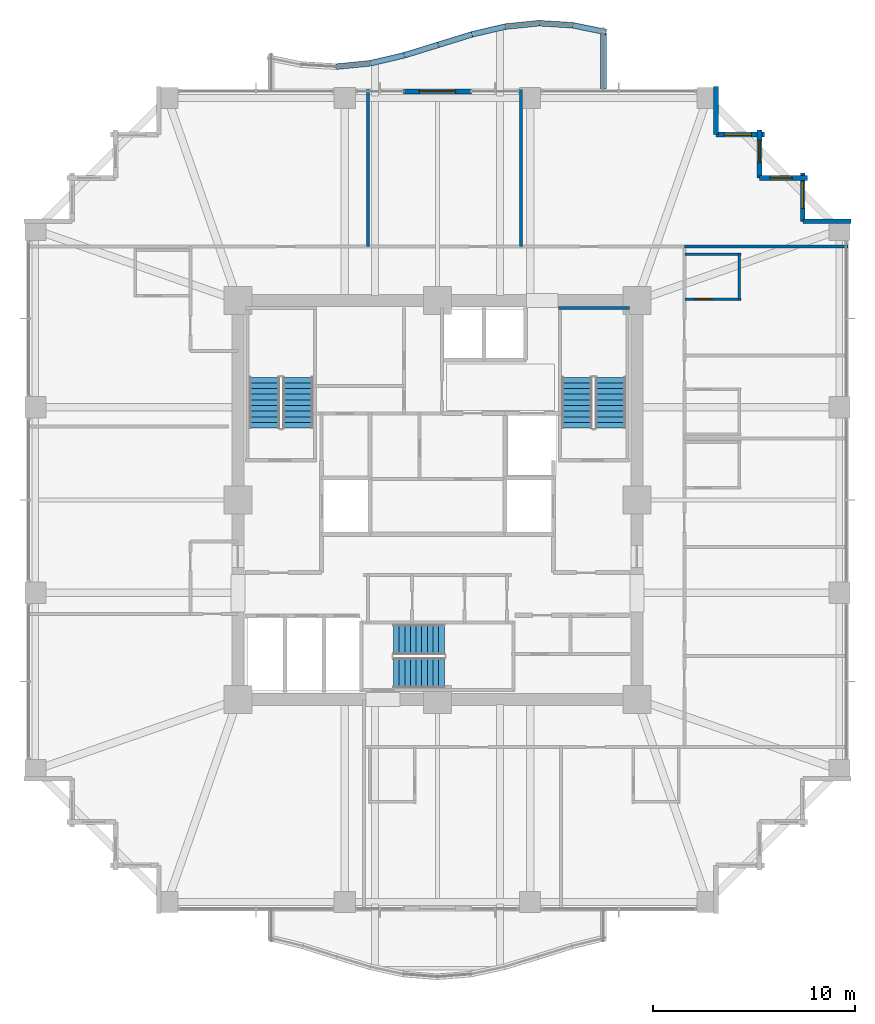
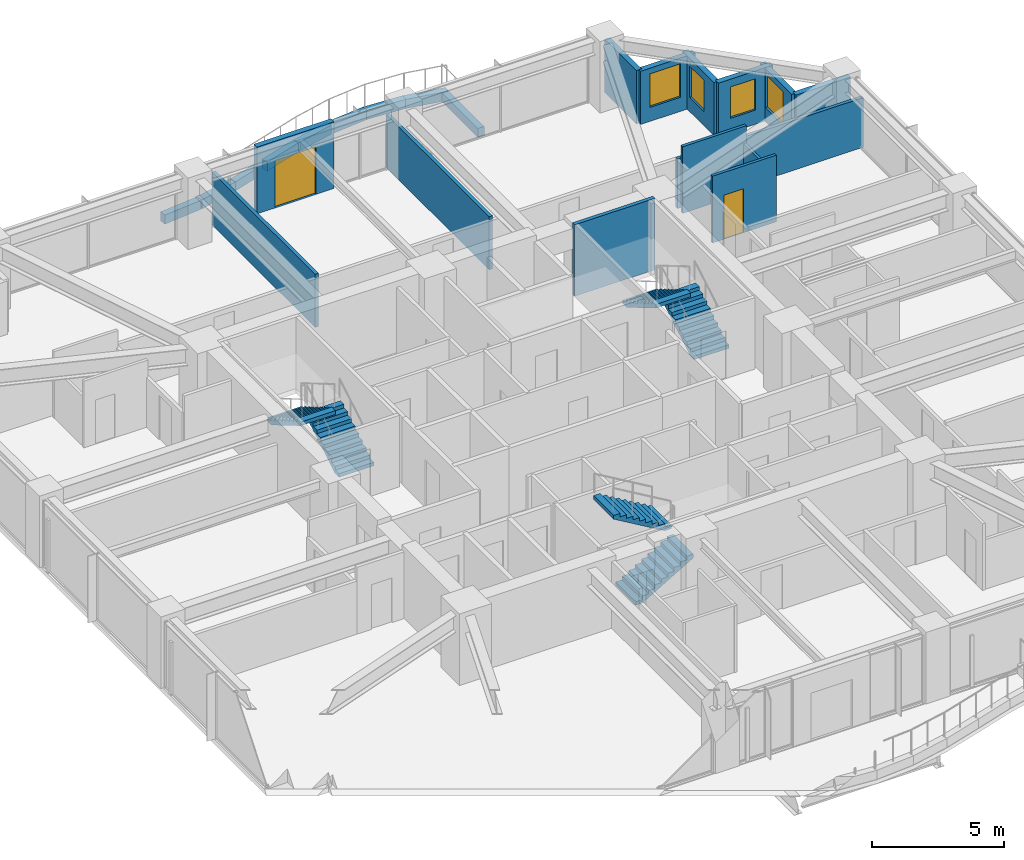
# One storey, part 36 of 38: 23 walls, 6 stair flights, 4 windows, 2 doors, 6 openings, 3 elements without a shape of their own.
"""IFC4 building model written with IfcOpenShell, lengths in metres."""

from ifc_helpers import new_model, si_unit, direction, frame, frame_2d, origin, place, context, subcontext, project, spatial, polyline, rectangle, outline, extrude, material, layer, layer_set, type_object, element, fill, aggregate, save


model = new_model("IFC4")

# Units and contexts
model_context = context("Model", 3, precision=1e-05, world=origin(), true_north=direction((0.0, 1.0)))
body_context = subcontext(model_context, "Body", "Model", "MODEL_VIEW")
ifc_project = project(units=[si_unit("LENGTHUNIT", "METRE"), si_unit("AREAUNIT", "SQUARE_METRE"), si_unit("VOLUMEUNIT", "CUBIC_METRE"), si_unit("PLANEANGLEUNIT", "RADIAN"), si_unit("MASSUNIT", "GRAM", prefix="KILO")], contexts=[model_context])

# Site, building, storey
site_placement = place(None, origin())
site = spatial("IfcSite", under=ifc_project, at=site_placement, CompositionType="ELEMENT")
building_placement = place(site_placement, origin())
building = spatial("IfcBuilding", under=site, at=building_placement, Name="Kolvaren Belvedere", CompositionType="ELEMENT")
storey_placement = place(building_placement, frame((0.0, 0.0, 98.60009765625)))
storey = spatial("IfcBuildingStorey", under=building, at=storey_placement, Name="L28", CompositionType="ELEMENT", Elevation=98.60009765625)

# Walls
ifc_material_1 = material(Name="Concrete C50/60", Category="concrete")
ifc_layer_1 = layer(ifc_material_1, 0.159912109375)
ifc_layer_set_1 = layer_set([ifc_layer_1], Name="Concrete C50/60")
wall_type_1 = type_object("IfcWallType", Name="CW-STAIR-160", PredefinedType="SHEAR", material=ifc_layer_set_1)
wall_1_placement = place(storey_placement, frame((6.0, 9.530029296875, 0.0), z_axis=(0.0, 0.0, 1.0), x_axis=(1.0, 0.0, 0.0)))
element("IfcWall", 1, at=wall_1_placement, inside=storey, type_object=wall_type_1, Name="L28 Stair ST-2 North Shear Wall", PredefinedType="SHEAR", context=body_context, shape_type="SweptSolid", body=[
    extrude(rectangle(XDim=3.52001953125, YDim=0.159912109375, at=frame_2d((1.760009765625, 0.0))), origin(), (0.0, 0.0, 1.0), 3.2998046875),
])
ifc_material_2 = material(Name="Insulated pale-metal facade wall assembly", Category="aluminium")
ifc_layer_2 = layer(ifc_material_2, 0.239990234375)
ifc_layer_set_2 = layer_set([ifc_layer_2], Name="Insulated pale-metal facade wall assembly")
wall_type_2 = type_object("IfcWallType", Name="WL-EXT-240", PredefinedType="STANDARD", material=ifc_layer_set_2)
wall_2_placement = place(storey_placement, frame((18.1298828125, 13.830078125, 0.0), z_axis=(0.0, 0.0, 1.0), x_axis=(1.0, 0.0, 0.0)))
element("IfcWall", 2, at=wall_2_placement, inside=storey, type_object=wall_type_2, Name="L28 Serrated Corner Facade Wall 9", PredefinedType="STANDARD", context=body_context, shape_type="SweptSolid", body=[
    extrude(rectangle(XDim=2.39013671875, YDim=0.239990234375, at=frame_2d((1.195068359375, 0.0))), origin(), (0.0, 0.0, 1.0), 2.458984375),
])

# Wall, opening, window
wall_3_placement = place(storey_placement, frame((18.1298828125, 16.219970703125, 0.0), z_axis=(0.0, 0.0, 1.0), x_axis=(0.0, -1.0, 0.0)))
wall_3 = element("IfcWall", 3, at=wall_3_placement, inside=storey, type_object=wall_type_2, Name="L28 Serrated Corner Facade Wall 10", PredefinedType="STANDARD", context=body_context, shape_type="SweptSolid", body=[
    extrude(rectangle(XDim=2.389892578125, YDim=0.239990234375, at=frame_2d((1.19482421875, 0.0))), origin(), (0.0, 0.0, 1.0), 2.458984375),
])
opening_1_placement = place(wall_3_placement, frame((0.39990234375, 0.0, 0.64990234375)))
opening_1 = element("IfcOpeningElement", 4, at=opening_1_placement, cuts=wall_3, Name="Opening W-1350", PredefinedType="OPENING", context=body_context, shape_type="SweptSolid", body=[
    extrude(rectangle(XDim=1.35009765625, YDim=1.550048828125, at=frame_2d((0.675048828125, 0.77490234375))), frame((0.0, 0.1298828125, 0.0), z_axis=(0.0, -1.0, 0.0), x_axis=(1.0, 0.0, 0.0)), (0.0, 0.0, 1.0), 0.260009765625),
])
ifc_material_3 = material(Name="Low-iron triple insulated glass", Category="glass")
window_type_1 = type_object("IfcWindowType", Name="WN-CORN-1350", PartitioningType="SINGLE_PANEL", PredefinedType="WINDOW", material=ifc_material_3)
window_1_placement = place(opening_1_placement, origin())
window_1 = element("IfcWindow", 5, at=window_1_placement, inside=storey, type_object=window_type_1, Name="L28 Serrated Corner Vision Window 10", OverallHeight=1.550048828125, OverallWidth=1.35009765625, PartitioningType="SINGLE_PANEL", PredefinedType="WINDOW", context=body_context, shape_type="SweptSolid", body=[
    extrude(rectangle(XDim=1.35009765625, YDim=1.550048828125, at=frame_2d((0.675048828125, 0.77490234375))), frame((0.0, 0.030029296875, 0.0), z_axis=(0.0, -1.0, 0.0), x_axis=(1.0, 0.0, 0.0)), (0.0, 0.0, 1.0), 0.06005859375),
])
fill(opening_1, window_1)

wall_4_placement = place(storey_placement, frame((15.97998046875, 15.97998046875, 0.0), z_axis=(0.0, 0.0, 1.0), x_axis=(1.0, 0.0, 0.0)))
wall_4 = element("IfcWall", 6, at=wall_4_placement, inside=storey, type_object=wall_type_2, Name="L28 Serrated Corner Facade Wall 11", PredefinedType="STANDARD", context=body_context, shape_type="SweptSolid", body=[
    extrude(rectangle(XDim=2.39013671875, YDim=0.239990234375, at=frame_2d((1.195068359375, 0.0))), origin(), (0.0, 0.0, 1.0), 2.458984375),
])
opening_2_placement = place(wall_4_placement, frame((0.52490234375, 0.0, 0.64990234375)))
opening_2 = element("IfcOpeningElement", 7, at=opening_2_placement, cuts=wall_4, Name="Opening W-1100", PredefinedType="OPENING", context=body_context, shape_type="SweptSolid", body=[
    extrude(rectangle(XDim=1.10009765625, YDim=1.449951171875, at=frame_2d((0.550048828125, 0.72509765625))), frame((0.0, 0.1298828125, 0.0), z_axis=(0.0, -1.0, 0.0), x_axis=(1.0, 0.0, 0.0)), (0.0, 0.0, 1.0), 0.260009765625),
])
ifc_material_4 = material(Name="Low-iron triple insulated glass", Category="glass")
window_type_2 = type_object("IfcWindowType", Name="WN-CORN-1100", PartitioningType="SINGLE_PANEL", PredefinedType="WINDOW", material=ifc_material_4)
window_2_placement = place(opening_2_placement, origin())
window_2 = element("IfcWindow", 8, at=window_2_placement, inside=storey, type_object=window_type_2, Name="L28 Serrated Corner Vision Window 11", OverallHeight=1.449951171875, OverallWidth=1.10009765625, PartitioningType="SINGLE_PANEL", PredefinedType="WINDOW", context=body_context, shape_type="SweptSolid", body=[
    extrude(rectangle(XDim=1.10009765625, YDim=1.449951171875, at=frame_2d((0.550048828125, 0.72509765625))), frame((0.0, 0.030029296875, 0.0), z_axis=(0.0, -1.0, 0.0), x_axis=(1.0, 0.0, 0.0)), (0.0, 0.0, 1.0), 0.06005859375),
])
fill(opening_2, window_2)

wall_5_placement = place(storey_placement, frame((15.97998046875, 18.3701171875, 0.0), z_axis=(0.0, 0.0, 1.0), x_axis=(0.0, -1.0, 0.0)))
wall_5 = element("IfcWall", 9, at=wall_5_placement, inside=storey, type_object=wall_type_2, Name="L28 Serrated Corner Facade Wall 12", PredefinedType="STANDARD", context=body_context, shape_type="SweptSolid", body=[
    extrude(rectangle(XDim=2.39013671875, YDim=0.239990234375, at=frame_2d((1.195068359375, 0.0))), origin(), (0.0, 0.0, 1.0), 2.458984375),
])
opening_3_placement = place(wall_5_placement, frame((0.52490234375, 0.0, 0.64990234375)))
opening_3 = element("IfcOpeningElement", 10, at=opening_3_placement, cuts=wall_5, Name="Opening W-1100", PredefinedType="OPENING", context=body_context, shape_type="SweptSolid", body=[
    extrude(rectangle(XDim=1.10009765625, YDim=1.449951171875, at=frame_2d((0.550048828125, 0.72509765625))), frame((0.0, 0.1298828125, 0.0), z_axis=(0.0, -1.0, 0.0), x_axis=(1.0, 0.0, 0.0)), (0.0, 0.0, 1.0), 0.260009765625),
])
window_3_placement = place(opening_3_placement, origin())
window_3 = element("IfcWindow", 11, at=window_3_placement, inside=storey, type_object=window_type_2, Name="L28 Serrated Corner Vision Window 12", OverallHeight=1.449951171875, OverallWidth=1.10009765625, PartitioningType="SINGLE_PANEL", PredefinedType="WINDOW", context=body_context, shape_type="SweptSolid", body=[
    extrude(rectangle(XDim=1.10009765625, YDim=1.449951171875, at=frame_2d((0.550048828125, 0.72509765625))), frame((0.0, 0.030029296875, 0.0), z_axis=(0.0, -1.0, 0.0), x_axis=(1.0, 0.0, 0.0)), (0.0, 0.0, 1.0), 0.06005859375),
])
fill(opening_3, window_3)

wall_6_placement = place(storey_placement, frame((13.830078125, 18.1298828125, 0.0), z_axis=(0.0, 0.0, 1.0), x_axis=(1.0, 0.0, 0.0)))
wall_6 = element("IfcWall", 12, at=wall_6_placement, inside=storey, type_object=wall_type_2, Name="L28 Serrated Corner Facade Wall 13", PredefinedType="STANDARD", context=body_context, shape_type="SweptSolid", body=[
    extrude(rectangle(XDim=2.389892578125, YDim=0.239990234375, at=frame_2d((1.19482421875, 0.0))), origin(), (0.0, 0.0, 1.0), 2.458984375),
])
opening_4_placement = place(wall_6_placement, frame((0.39990234375, 0.0, 0.64990234375)))
opening_4 = element("IfcOpeningElement", 13, at=opening_4_placement, cuts=wall_6, Name="Opening W-1350", PredefinedType="OPENING", context=body_context, shape_type="SweptSolid", body=[
    extrude(rectangle(XDim=1.35009765625, YDim=1.550048828125, at=frame_2d((0.675048828125, 0.77490234375))), frame((0.0, 0.1298828125, 0.0), z_axis=(0.0, -1.0, 0.0), x_axis=(1.0, 0.0, 0.0)), (0.0, 0.0, 1.0), 0.260009765625),
])
window_4_placement = place(opening_4_placement, origin())
window_4 = element("IfcWindow", 14, at=window_4_placement, inside=storey, type_object=window_type_1, Name="L28 Serrated Corner Vision Window 13", OverallHeight=1.550048828125, OverallWidth=1.35009765625, PartitioningType="SINGLE_PANEL", PredefinedType="WINDOW", context=body_context, shape_type="SweptSolid", body=[
    extrude(rectangle(XDim=1.35009765625, YDim=1.550048828125, at=frame_2d((0.675048828125, 0.77490234375))), frame((0.0, 0.030029296875, 0.0), z_axis=(0.0, -1.0, 0.0), x_axis=(1.0, 0.0, 0.0)), (0.0, 0.0, 1.0), 0.06005859375),
])
fill(opening_4, window_4)

# Wall
wall_7_placement = place(storey_placement, frame((13.830078125, 20.52001953125, 0.0), z_axis=(0.0, 0.0, 1.0), x_axis=(0.0, -1.0, 0.0)))
element("IfcWall", 15, at=wall_7_placement, inside=storey, type_object=wall_type_2, Name="L28 Serrated Corner Facade Wall 14", PredefinedType="STANDARD", context=body_context, shape_type="SweptSolid", body=[
    extrude(rectangle(XDim=2.39013671875, YDim=0.239990234375, at=frame_2d((1.195068359375, 0.0))), origin(), (0.0, 0.0, 1.0), 2.458984375),
])

# Wall, opening, door
wall_8_placement = place(storey_placement, frame((-1.679931640625, 20.280029296875, 0.0), z_axis=(0.0, 0.0, 1.0), x_axis=(1.0, 0.0, 0.0)))
wall_8 = element("IfcWall", 16, at=wall_8_placement, inside=storey, type_object=wall_type_2, Name="L28 North Terrace Portal Wall", PredefinedType="STANDARD", context=body_context, shape_type="SweptSolid", body=[
    extrude(rectangle(XDim=3.35986328125, YDim=0.239990234375, at=frame_2d((1.679931640625, 0.0))), origin(), (0.0, 0.0, 1.0), 3.079833984375),
])
opening_5_placement = place(wall_8_placement, frame((0.780029296875, 0.0, 0.0)))
opening_5 = element("IfcOpeningElement", 17, at=opening_5_placement, cuts=wall_8, Name="Opening DB-1800", PredefinedType="OPENING", context=body_context, shape_type="SweptSolid", body=[
    extrude(rectangle(XDim=1.800048828125, YDim=2.199951171875, at=frame_2d((0.89990234375, 1.10009765625))), frame((0.0, 0.1298828125, 0.0), z_axis=(0.0, -1.0, 0.0), x_axis=(1.0, 0.0, 0.0)), (0.0, 0.0, 1.0), 0.260009765625),
])
ifc_material_5 = material(Name="Thermally broken pale-metal aluminium & low-iron glass", Category="aluminium")
door_type_1 = type_object("IfcDoorType", Name="DR-BAL-1800", OperationType="DOUBLE_DOOR_SLIDING", PredefinedType="DOOR", material=ifc_material_5)
door_1_placement = place(opening_5_placement, origin())
door_1 = element("IfcDoor", 18, at=door_1_placement, inside=storey, type_object=door_type_1, Name="L28 North Planted Terrace Sliding Door", OperationType="DOUBLE_DOOR_SLIDING", OverallHeight=2.199951171875, OverallWidth=1.800048828125, PredefinedType="DOOR", context=body_context, shape_type="SweptSolid", body=[
    extrude(rectangle(XDim=1.800048828125, YDim=2.199951171875, at=frame_2d((0.89990234375, 1.10009765625))), frame((0.0, 0.02490234375, 0.0), z_axis=(0.0, -1.0, 0.0), x_axis=(1.0, 0.0, 0.0)), (0.0, 0.0, 1.0), 0.050048828125),
])
fill(opening_5, door_1)

# Walls
ifc_material_6 = material(Name="Gypsum acoustic partition assembly", Category="gypsum")
ifc_layer_3 = layer(ifc_material_6, 0.14990234375)
ifc_layer_set_3 = layer_set([ifc_layer_3], Name="Gypsum acoustic partition assembly")
wall_type_3 = type_object("IfcWallType", Name="WL-PART-150", PredefinedType="PARTITIONING", material=ifc_layer_set_3)
wall_9_placement = place(storey_placement, frame((12.260009765625, 12.580078125, 0.0), z_axis=(0.0, 0.0, 1.0), x_axis=(1.0, 0.0, 0.0)))
element("IfcWall", 19, at=wall_9_placement, inside=storey, type_object=wall_type_3, Name="L28 Wing Divider PW-L28-QNE", PredefinedType="PARTITIONING", context=body_context, shape_type="SweptSolid", body=[
    extrude(rectangle(XDim=8.119873046875, YDim=0.14990234375, at=frame_2d((4.06005859375, 0.0))), origin(), (0.0, 0.0, 1.0), 2.2919921875),
])
for number, where, z_axis, x_axis, name in (
    (20, (-3.444091796875, 12.580078125, 0.0), (0.0, 0.0, 1.0), (0.0, 1.0, 0.0), "L28 North Suite Demising Wall 1"),
    (21, (4.156005859375, 12.580078125, 0.0), (0.0, 0.0, 1.0), (0.0, 1.0, 0.0), "L28 North Suite Demising Wall 2"),
):
    element("IfcWall", number, at=place(storey_placement, frame(where, z_axis=z_axis, x_axis=x_axis)), inside=storey, type_object=wall_type_3, Name=name, PredefinedType="PARTITIONING", context=body_context, shape_type="SweptSolid", body=[
        extrude(rectangle(XDim=7.7998046875, YDim=0.14990234375, at=frame_2d((3.89990234375, 0.0))), origin(), (0.0, 0.0, 1.0), 2.448974609375),
    ])
ifc_material_7 = material(Name="Precast concrete C40/50", Category="concrete")
ifc_layer_4 = layer(ifc_material_7, 0.300048828125)
ifc_layer_set_4 = layer_set([ifc_layer_4], Name="Precast concrete C40/50")
wall_type_4 = type_object("IfcWallType", Name="WL-PLANTER-300", PredefinedType="PARAPET", material=ifc_layer_set_4)
wall_10_placement = place(storey_placement, frame((8.239990234375, 20.39990234375, -0.0400390625), z_axis=(0.0, 0.0, 1.0), x_axis=(0.0, 1.0, 0.0)))
element("IfcWall", 22, at=wall_10_placement, inside=storey, type_object=wall_type_4, Name="L28 Precast Structural Planter Wall BAL-N-11", PredefinedType="PARAPET", context=body_context, shape_type="SweptSolid", body=[
    extrude(rectangle(XDim=2.974853515625, YDim=0.280029296875, at=frame_2d((1.4873046875, 0.0))), origin(), (0.0, 0.0, 1.0), 0.419921875),
])
wall_11_placement = place(storey_placement, frame((8.367919921875, 23.218017578125, -0.0400390625), z_axis=(0.0, 0.0, 1.0), x_axis=(-0.979867779516, 0.199647526069, 0.0)))
element("IfcWall", 23, at=wall_11_placement, inside=storey, type_object=wall_type_4, Name="L28 Precast Structural Planter Wall BAL-N-12", PredefinedType="PARAPET", context=body_context, shape_type="SweptSolid", body=[
    extrude(rectangle(XDim=1.71435546875, YDim=0.280029296875, at=frame_2d((0.857177734375, 0.0))), origin(), (0.0, 0.0, 1.0), 0.419921875),
])
wall_12_placement = place(storey_placement, frame((6.710205078125, 23.5576171875, -0.0400390625), z_axis=(0.0, 0.0, 1.0), x_axis=(-0.998133560666, 0.061068773295, 0.0)))
element("IfcWall", 24, at=wall_12_placement, inside=storey, type_object=wall_type_4, Name="L28 Precast Structural Planter Wall BAL-N-13", PredefinedType="PARAPET", context=body_context, shape_type="SweptSolid", body=[
    extrude(rectangle(XDim=1.68310546875, YDim=0.280029296875, at=frame_2d((0.841552734375, 0.0))), origin(), (0.0, 0.0, 1.0), 0.419921875),
])
wall_13_placement = place(storey_placement, frame((5.055908203125, 23.660888671875, -0.0400390625), z_axis=(0.0, 0.0, 1.0), x_axis=(-0.995024296308, -0.099632573776, 0.0)))
element("IfcWall", 25, at=wall_13_placement, inside=storey, type_object=wall_type_4, Name="L28 Precast Structural Planter Wall BAL-N-14", PredefinedType="PARAPET", context=body_context, shape_type="SweptSolid", body=[
    extrude(rectangle(XDim=1.688232421875, YDim=0.280029296875, at=frame_2d((0.84423828125, 0.0))), origin(), (0.0, 0.0, 1.0), 0.419921875),
])
wall_14_placement = place(storey_placement, frame((3.396240234375, 23.49609375, -0.0400390625), z_axis=(0.0, 0.0, 1.0), x_axis=(-0.973890253884, -0.227019323824, 0.0)))
element("IfcWall", 26, at=wall_14_placement, inside=storey, type_object=wall_type_4, Name="L28 Precast Structural Planter Wall BAL-N-15", PredefinedType="PARAPET", context=body_context, shape_type="SweptSolid", body=[
    extrude(rectangle(XDim=1.724853515625, YDim=0.280029296875, at=frame_2d((0.8623046875, 0.0))), origin(), (0.0, 0.0, 1.0), 0.419921875),
])
wall_15_placement = place(storey_placement, frame((1.727294921875, 23.107421875, -0.0400390625), z_axis=(0.0, 0.0, 1.0), x_axis=(-0.95524013163, -0.295831524561, 0.0)))
element("IfcWall", 27, at=wall_15_placement, inside=storey, type_object=wall_type_4, Name="L28 Precast Structural Planter Wall BAL-N-16", PredefinedType="PARAPET", context=body_context, shape_type="SweptSolid", body=[
    extrude(rectangle(XDim=1.758544921875, YDim=0.280029296875, at=frame_2d((0.87939453125, 0.0))), origin(), (0.0, 0.0, 1.0), 0.419921875),
])
wall_16_placement = place(storey_placement, frame((0.04736328125, 22.587158203125, -0.0400390625), z_axis=(0.0, 0.0, 1.0), x_axis=(-0.955252278476, -0.29579229954, 0.0)))
element("IfcWall", 28, at=wall_16_placement, inside=storey, type_object=wall_type_4, Name="L28 Precast Structural Planter Wall BAL-N-17", PredefinedType="PARAPET", context=body_context, shape_type="SweptSolid", body=[
    extrude(rectangle(XDim=1.7587890625, YDim=0.280029296875, at=frame_2d((0.87939453125, 0.0))), origin(), (0.0, 0.0, 1.0), 0.419921875),
])
wall_17_placement = place(storey_placement, frame((-1.643798828125, 22.06396484375, -0.0400390625), z_axis=(0.0, 0.0, 1.0), x_axis=(-0.973890253884, -0.227019323824, 0.0)))
element("IfcWall", 29, at=wall_17_placement, inside=storey, type_object=wall_type_4, Name="L28 Precast Structural Planter Wall BAL-N-18", PredefinedType="PARAPET", context=body_context, shape_type="SweptSolid", body=[
    extrude(rectangle(XDim=1.724853515625, YDim=0.280029296875, at=frame_2d((0.8623046875, 0.0))), origin(), (0.0, 0.0, 1.0), 0.419921875),
])
wall_18_placement = place(storey_placement, frame((-3.34423828125, 21.6689453125, -0.0400390625), z_axis=(0.0, 0.0, 1.0), x_axis=(-0.995153897624, -0.098329649867, 0.0)))
element("IfcWall", 30, at=wall_18_placement, inside=storey, type_object=wall_type_4, Name="L28 Precast Structural Planter Wall BAL-N-19", PredefinedType="PARAPET", context=body_context, shape_type="SweptSolid", body=[
    extrude(rectangle(XDim=1.6884765625, YDim=0.280029296875, at=frame_2d((0.84423828125, 0.0))), origin(), (0.0, 0.0, 1.0), 0.419921875),
])

# Wall, opening, door
ifc_material_8 = material(Name="Moisture-resistant gypsum partition", Category="gypsum")
ifc_layer_5 = layer(ifc_material_8, 0.125)
ifc_layer_set_5 = layer_set([ifc_layer_5], Name="Moisture-resistant gypsum partition")
wall_type_5 = type_object("IfcWallType", Name="WL-WET-125", PredefinedType="PARTITIONING", material=ifc_layer_set_5)
wall_19_placement = place(storey_placement, frame((12.27490234375, 9.950927734375, 0.0), z_axis=(0.0, 0.0, 1.0), x_axis=(1.0, 0.0, 0.0)))
wall_19 = element("IfcWall", 31, at=wall_19_placement, inside=storey, type_object=wall_type_5, Name="L28 Bathroom Partition PW-L28-BTH-8-N", PredefinedType="PARTITIONING", context=body_context, shape_type="SweptSolid", body=[
    extrude(rectangle(XDim=2.7900390625, YDim=0.125, at=frame_2d((1.39501953125, 0.0))), origin(), (0.0, 0.0, 1.0), 3.079833984375),
])
opening_6_placement = place(wall_19_placement, frame((0.5, 0.0, 0.0)))
opening_6 = element("IfcOpeningElement", 32, at=opening_6_placement, cuts=wall_19, Name="Opening D-BTH85", PredefinedType="OPENING", context=body_context, shape_type="SweptSolid", body=[
    extrude(rectangle(XDim=0.85009765625, YDim=2.030029296875, at=frame_2d((0.425048828125, 1.01513671875))), frame((0.0, 0.072509765625, 0.0), z_axis=(0.0, -1.0, 0.0), x_axis=(1.0, 0.0, 0.0)), (0.0, 0.0, 1.0), 0.14501953125),
])
ifc_material_9 = material(Name="Moisture-sealed Pacific white oak", Category="timber")
door_type_2 = type_object("IfcDoorType", Name="DR-BATH-850", OperationType="NOTDEFINED", PredefinedType="DOOR", material=ifc_material_9)
door_2_placement = place(opening_6_placement, origin())
door_2 = element("IfcDoor", 33, at=door_2_placement, inside=storey, type_object=door_type_2, Name="L28 En-Suite Bathroom 2808 Door", OperationType="SINGLE_SWING_RIGHT", OverallHeight=2.030029296875, OverallWidth=0.85009765625, PredefinedType="DOOR", context=body_context, shape_type="SweptSolid", body=[
    extrude(rectangle(XDim=0.85009765625, YDim=2.030029296875, at=frame_2d((0.425048828125, 1.01513671875))), frame((0.0, 0.02490234375, 0.0), z_axis=(0.0, -1.0, 0.0), x_axis=(1.0, 0.0, 0.0)), (0.0, 0.0, 1.0), 0.050048828125),
])
fill(opening_6, door_2)

# Walls
wall_20_placement = place(storey_placement, frame((14.985107421875, 9.89111328125, 0.0), z_axis=(0.0, 0.0, 1.0), x_axis=(0.0, 1.0, 0.0)))
element("IfcWall", 34, at=wall_20_placement, inside=storey, type_object=wall_type_5, Name="L28 Bathroom Partition PW-L28-BTH-8-V", PredefinedType="PARTITIONING", context=body_context, shape_type="SweptSolid", body=[
    extrude(rectangle(XDim=2.369873046875, YDim=0.125, at=frame_2d((1.18505859375, 0.0))), origin(), (0.0, 0.0, 1.0), 2.2919921875),
])
wall_21_placement = place(storey_placement, frame((12.27490234375, 12.200927734375, 0.0), z_axis=(0.0, 0.0, 1.0), x_axis=(1.0, 0.0, 0.0)))
element("IfcWall", 35, at=wall_21_placement, inside=storey, type_object=wall_type_5, Name="L28 Bathroom Partition PW-L28-BTH-8-S", PredefinedType="PARTITIONING", context=body_context, shape_type="SweptSolid", body=[
    extrude(rectangle(XDim=2.7900390625, YDim=0.125, at=frame_2d((1.39501953125, 0.0))), origin(), (0.0, 0.0, 1.0), 3.079833984375),
])

# Stair, stair flights
ifc_material_10 = material(Name="Concrete C50/60", Category="concrete")
stair_type = type_object("IfcStairType", Name="ST-CORE-1520", PredefinedType="HALF_TURN_STAIR", material=ifc_material_10)
stair_1_placement = place(storey_placement, origin())
stair_1 = element("IfcStair", 36, at=stair_1_placement, inside=storey, type_object=stair_type, Name="L28 Protected Exit Stair ST-1", PredefinedType="HALF_TURN_STAIR")
ifc_material_11 = material(Name="Concrete C50/60", Category="concrete")
stair_flight_type = type_object("IfcStairFlightType", Name="SF-STR-1520", PredefinedType="STRAIGHT", material=ifc_material_11)
stair_flight_1_placement = place(storey_placement, frame((-6.919921875, 3.570068359375, 0.0), z_axis=(0.0, 0.0, 1.0), x_axis=(0.0, 1.0, 0.0)))
stair_flight_1 = element("IfcStairFlight", 37, at=stair_flight_1_placement, type_object=stair_flight_type, Name="ST-1 flight 1", NumberOfRisers=10, NumberOfTreads=9, PredefinedType="STRAIGHT", RiserHeight=0.165, TreadLength=0.28, context=body_context, shape_type="SweptSolid", body=[
    extrude(outline(polyline([(0.0, 0.0), (0.0, 0.1650390625), (0.280029296875, 0.1650390625), (0.280029296875, 0.330078125), (0.56005859375, 0.330078125), (0.56005859375, 0.4951171875), (0.840087890625, 0.4951171875), (0.840087890625, 0.659912109375), (1.1201171875, 0.659912109375), (1.1201171875, 0.824951171875), (1.39990234375, 0.824951171875), (1.39990234375, 0.989990234375), (1.679931640625, 0.989990234375), (1.679931640625, 1.155029296875), (1.9599609375, 1.155029296875), (1.9599609375, 1.320068359375), (2.239990234375, 1.320068359375), (2.239990234375, 1.485107421875), (2.52001953125, 1.485107421875), (2.52001953125, 1.64990234375), (2.52001953125, 1.31103515625), (0.295166015625, 0.0), (0.0, 0.0)])), frame((0.0, 0.760009765625, 0.0), z_axis=(0.0, -1.0, 0.0), x_axis=(1.0, 0.0, 0.0)), (0.0, 0.0, 1.0), 1.52001953125),
])
stair_flight_2_placement = place(storey_placement, frame((-8.590087890625, 6.090087890625, 1.64990234375), z_axis=(0.0, 0.0, 1.0), x_axis=(0.0, -1.0, 0.0)))
stair_flight_2 = element("IfcStairFlight", 38, at=stair_flight_2_placement, type_object=stair_flight_type, Name="ST-1 flight 2", NumberOfRisers=10, NumberOfTreads=9, PredefinedType="STRAIGHT", RiserHeight=0.165, TreadLength=0.28, context=body_context, shape_type="SweptSolid", body=[
    extrude(outline(polyline([(0.0, 0.0), (0.0, 0.1650390625), (0.280029296875, 0.1650390625), (0.280029296875, 0.330078125), (0.56005859375, 0.330078125), (0.56005859375, 0.4951171875), (0.840087890625, 0.4951171875), (0.840087890625, 0.659912109375), (1.1201171875, 0.659912109375), (1.1201171875, 0.824951171875), (1.39990234375, 0.824951171875), (1.39990234375, 0.989990234375), (1.679931640625, 0.989990234375), (1.679931640625, 1.155029296875), (1.9599609375, 1.155029296875), (1.9599609375, 1.320068359375), (2.239990234375, 1.320068359375), (2.239990234375, 1.485107421875), (2.52001953125, 1.485107421875), (2.52001953125, 1.64990234375), (2.52001953125, 1.31103515625), (0.295166015625, 0.0), (0.0, 0.0)])), frame((0.0, 0.760009765625, 0.0), z_axis=(0.0, -1.0, 0.0), x_axis=(1.0, 0.0, 0.0)), (0.0, 0.0, 1.0), 1.52001953125),
])
aggregate(stair_1, [stair_flight_1, stair_flight_2])

stair_2_placement = place(storey_placement, origin())
stair_2 = element("IfcStair", 39, at=stair_2_placement, inside=storey, type_object=stair_type, Name="L28 Protected Exit Stair ST-2", PredefinedType="HALF_TURN_STAIR")
stair_flight_3_placement = place(storey_placement, frame((8.590087890625, 3.570068359375, 0.0), z_axis=(0.0, 0.0, 1.0), x_axis=(0.0, 1.0, 0.0)))
stair_flight_3 = element("IfcStairFlight", 40, at=stair_flight_3_placement, type_object=stair_flight_type, Name="ST-2 flight 1", NumberOfRisers=10, NumberOfTreads=9, PredefinedType="STRAIGHT", RiserHeight=0.165, TreadLength=0.28, context=body_context, shape_type="SweptSolid", body=[
    extrude(outline(polyline([(0.0, 0.0), (0.0, 0.1650390625), (0.280029296875, 0.1650390625), (0.280029296875, 0.330078125), (0.56005859375, 0.330078125), (0.56005859375, 0.4951171875), (0.840087890625, 0.4951171875), (0.840087890625, 0.659912109375), (1.1201171875, 0.659912109375), (1.1201171875, 0.824951171875), (1.39990234375, 0.824951171875), (1.39990234375, 0.989990234375), (1.679931640625, 0.989990234375), (1.679931640625, 1.155029296875), (1.9599609375, 1.155029296875), (1.9599609375, 1.320068359375), (2.239990234375, 1.320068359375), (2.239990234375, 1.485107421875), (2.52001953125, 1.485107421875), (2.52001953125, 1.64990234375), (2.52001953125, 1.31103515625), (0.295166015625, 0.0), (0.0, 0.0)])), frame((0.0, 0.760009765625, 0.0), z_axis=(0.0, -1.0, 0.0), x_axis=(1.0, 0.0, 0.0)), (0.0, 0.0, 1.0), 1.52001953125),
])
stair_flight_4_placement = place(storey_placement, frame((6.919921875, 6.090087890625, 1.64990234375), z_axis=(0.0, 0.0, 1.0), x_axis=(0.0, -1.0, 0.0)))
stair_flight_4 = element("IfcStairFlight", 41, at=stair_flight_4_placement, type_object=stair_flight_type, Name="ST-2 flight 2", NumberOfRisers=10, NumberOfTreads=9, PredefinedType="STRAIGHT", RiserHeight=0.165, TreadLength=0.28, context=body_context, shape_type="SweptSolid", body=[
    extrude(outline(polyline([(0.0, 0.0), (0.0, 0.1650390625), (0.280029296875, 0.1650390625), (0.280029296875, 0.330078125), (0.56005859375, 0.330078125), (0.56005859375, 0.4951171875), (0.840087890625, 0.4951171875), (0.840087890625, 0.659912109375), (1.1201171875, 0.659912109375), (1.1201171875, 0.824951171875), (1.39990234375, 0.824951171875), (1.39990234375, 0.989990234375), (1.679931640625, 0.989990234375), (1.679931640625, 1.155029296875), (1.9599609375, 1.155029296875), (1.9599609375, 1.320068359375), (2.239990234375, 1.320068359375), (2.239990234375, 1.485107421875), (2.52001953125, 1.485107421875), (2.52001953125, 1.64990234375), (2.52001953125, 1.31103515625), (0.295166015625, 0.0), (0.0, 0.0)])), frame((0.0, 0.760009765625, 0.0), z_axis=(0.0, -1.0, 0.0), x_axis=(1.0, 0.0, 0.0)), (0.0, 0.0, 1.0), 1.52001953125),
])
aggregate(stair_2, [stair_flight_3, stair_flight_4])

stair_3_placement = place(storey_placement, origin())
stair_3 = element("IfcStair", 42, at=stair_3_placement, inside=storey, type_object=stair_type, Name="L28 Protected Exit Stair ST-3", PredefinedType="HALF_TURN_STAIR")
stair_flight_5_placement = place(storey_placement, frame((-2.179931640625, -8.590087890625, 0.0), z_axis=(0.0, 0.0, 1.0), x_axis=(1.0, 0.0, 0.0)))
stair_flight_5 = element("IfcStairFlight", 43, at=stair_flight_5_placement, type_object=stair_flight_type, Name="ST-3 flight 1", NumberOfRisers=10, NumberOfTreads=9, PredefinedType="STRAIGHT", RiserHeight=0.165, TreadLength=0.28, context=body_context, shape_type="SweptSolid", body=[
    extrude(outline(polyline([(0.0, 0.0), (0.0, 0.1650390625), (0.280029296875, 0.1650390625), (0.280029296875, 0.330078125), (0.56005859375, 0.330078125), (0.56005859375, 0.4951171875), (0.840087890625, 0.4951171875), (0.840087890625, 0.659912109375), (1.1201171875, 0.659912109375), (1.1201171875, 0.824951171875), (1.39990234375, 0.824951171875), (1.39990234375, 0.989990234375), (1.679931640625, 0.989990234375), (1.679931640625, 1.155029296875), (1.9599609375, 1.155029296875), (1.9599609375, 1.320068359375), (2.239990234375, 1.320068359375), (2.239990234375, 1.485107421875), (2.52001953125, 1.485107421875), (2.52001953125, 1.64990234375), (2.52001953125, 1.31103515625), (0.295166015625, 0.0), (0.0, 0.0)])), frame((0.0, 0.760009765625, 0.0), z_axis=(0.0, -1.0, 0.0), x_axis=(1.0, 0.0, 0.0)), (0.0, 0.0, 1.0), 1.52001953125),
])
stair_flight_6_placement = place(storey_placement, frame((0.340087890625, -6.919921875, 1.64990234375), z_axis=(0.0, 0.0, 1.0), x_axis=(-1.0, 0.0, 0.0)))
stair_flight_6 = element("IfcStairFlight", 44, at=stair_flight_6_placement, type_object=stair_flight_type, Name="ST-3 flight 2", NumberOfRisers=10, NumberOfTreads=9, PredefinedType="STRAIGHT", RiserHeight=0.165, TreadLength=0.28, context=body_context, shape_type="SweptSolid", body=[
    extrude(outline(polyline([(0.0, 0.0), (0.0, 0.1650390625), (0.280029296875, 0.1650390625), (0.280029296875, 0.330078125), (0.56005859375, 0.330078125), (0.56005859375, 0.4951171875), (0.840087890625, 0.4951171875), (0.840087890625, 0.659912109375), (1.1201171875, 0.659912109375), (1.1201171875, 0.824951171875), (1.39990234375, 0.824951171875), (1.39990234375, 0.989990234375), (1.679931640625, 0.989990234375), (1.679931640625, 1.155029296875), (1.9599609375, 1.155029296875), (1.9599609375, 1.320068359375), (2.239990234375, 1.320068359375), (2.239990234375, 1.485107421875), (2.52001953125, 1.485107421875), (2.52001953125, 1.64990234375), (2.52001953125, 1.31103515625), (0.295166015625, 0.0), (0.0, 0.0)])), frame((0.0, 0.760009765625, 0.0), z_axis=(0.0, -1.0, 0.0), x_axis=(1.0, 0.0, 0.0)), (0.0, 0.0, 1.0), 1.52001953125),
])
aggregate(stair_3, [stair_flight_5, stair_flight_6])

save(model, "model.ifc")
